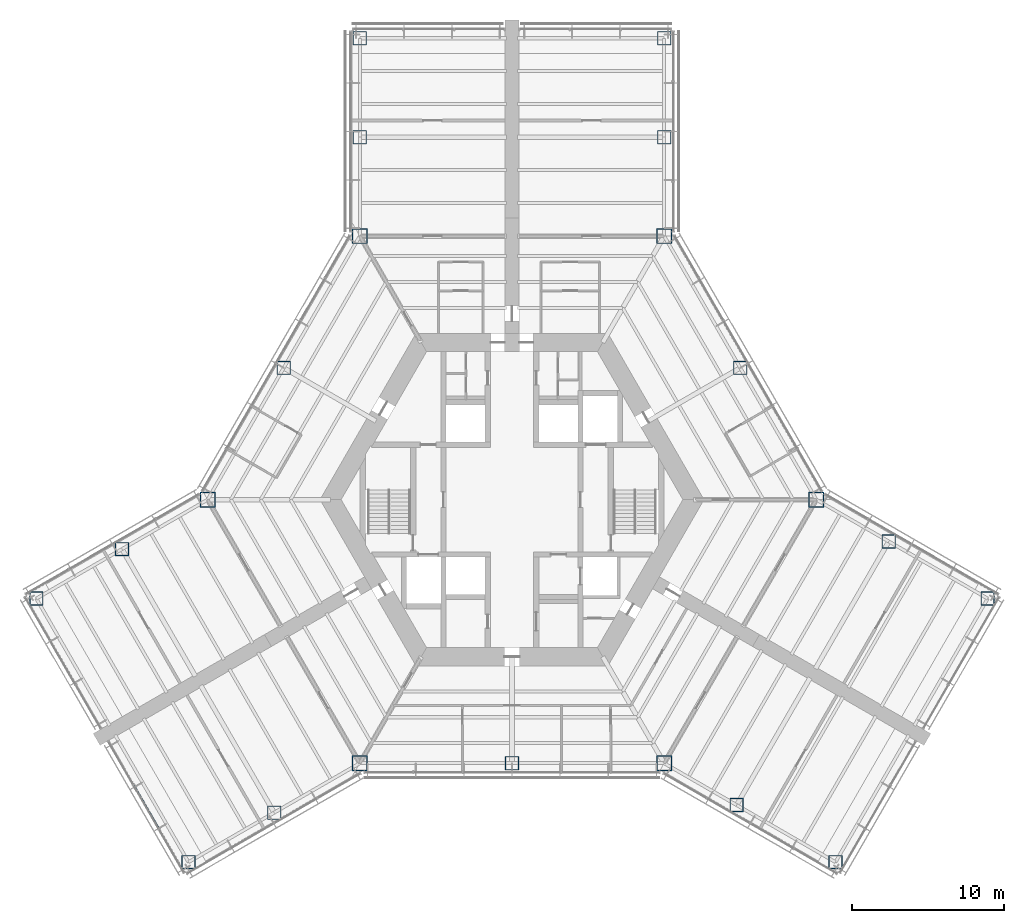
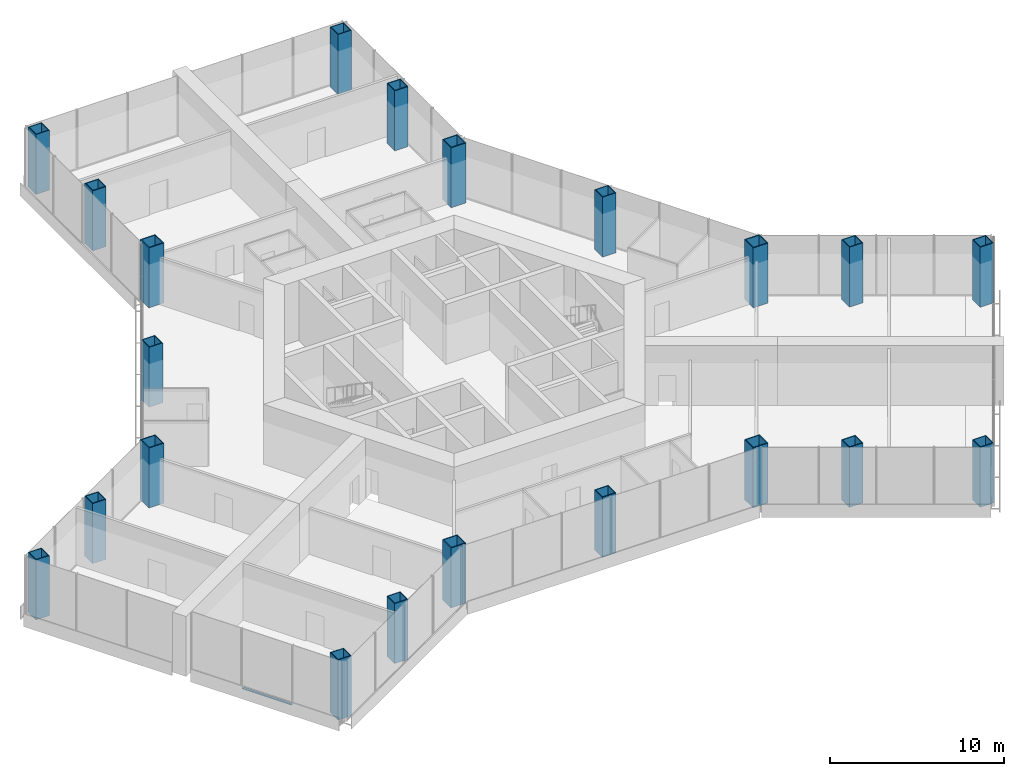
# One storey, part 1 of 16: 21 columns, 1 member, 1 element without a shape of its own.
"""IFC4 building model written with IfcOpenShell, lengths in metres."""

from ifc_helpers import new_model, si_unit, direction, frame, origin, origin_2d, place, context, subcontext, project, spatial, rectangle, hollow_rectangle, extrude, material, material_profile, profile_set, type_object, element, aggregate, save


model = new_model("IFC4")

# Units and contexts
model_context = context("Model", 3, precision=1e-05, world=origin(), true_north=direction((0.0, 1.0)))
body_context = subcontext(model_context, "Body", "Model", "MODEL_VIEW")
ifc_project = project(units=[si_unit("LENGTHUNIT", "METRE"), si_unit("AREAUNIT", "SQUARE_METRE"), si_unit("VOLUMEUNIT", "CUBIC_METRE"), si_unit("PLANEANGLEUNIT", "RADIAN"), si_unit("MASSUNIT", "GRAM", prefix="KILO")], contexts=[model_context])

# Site, building, storey
site_placement = place(None, origin())
site = spatial("IfcSite", under=ifc_project, at=site_placement, CompositionType="ELEMENT")
building_placement = place(site_placement, origin())
building = spatial("IfcBuilding", under=site, at=building_placement, Name="Kasaneha Research Tower", CompositionType="ELEMENT")
storey_placement = place(building_placement, frame((0.0, 0.0, 22.60009765625)))
storey = spatial("IfcBuildingStorey", under=building, at=storey_placement, Name="L06", CompositionType="ELEMENT", Elevation=22.60009765625)

# Columns
ifc_material_1 = material(Name="Steel SN490C", Category="steel")
ifc_material_profile_1 = material_profile(ifc_material_1, hollow_rectangle(XDim=1.0, YDim=1.0, WallThickness=0.06005859375, at=origin_2d()), Name="BOX-1000x1000x60")
ifc_profile_set_1 = profile_set([ifc_material_profile_1], Name="Steel SN490C")
column_type_1 = type_object("IfcColumnType", Name="C1A column BOX-1000x1000x60", PredefinedType="COLUMN", material=ifc_profile_set_1)
for number, where, z_axis, x_axis, name in (
    (1, (20.0, 0.0, 0.0), (0.0, 0.0, 1.0), (1.0, 0.0, 0.0), "Column V0 L06"),
    (2, (10.0, 17.320556640625, 0.0), (0.0, 0.0, 1.0), (1.0, 0.0, 0.0), "Column V1 L06"),
    (3, (-10.0, 17.320556640625, 0.0), (0.0, 0.0, 1.0), (1.0, 0.0, 0.0), "Column V2 L06"),
    (4, (-20.0, 0.0, 0.0), (0.0, 0.0, 1.0), (1.0, 0.0, 0.0), "Column V3 L06"),
    (5, (-10.0, -17.320556640625, 0.0), (0.0, 0.0, 1.0), (1.0, 0.0, 0.0), "Column V4 L06"),
    (6, (10.0, -17.320556640625, 0.0), (0.0, 0.0, 1.0), (1.0, 0.0, 0.0), "Column V5 L06"),
):
    element("IfcColumn", number, at=place(storey_placement, frame(where, z_axis=z_axis, x_axis=x_axis)), inside=storey, type_object=column_type_1, Name=name, PredefinedType="COLUMN", context=body_context, shape_type="SweptSolid", body=[
        extrude(hollow_rectangle(XDim=1.0, YDim=1.0, WallThickness=0.06005859375, at=origin_2d()), origin(), (0.0, 0.0, 1.0), 4.199951171875),
    ])
ifc_material_2 = material(Name="Steel SN490C", Category="steel")
ifc_material_profile_2 = material_profile(ifc_material_2, hollow_rectangle(XDim=0.89990234375, YDim=0.89990234375, WallThickness=0.050048828125, at=origin_2d()), Name="BOX-900x900x50")
ifc_profile_set_2 = profile_set([ifc_material_profile_2], Name="Steel SN490C")
column_type_2 = type_object("IfcColumnType", Name="C1B column BOX-900x900x50", PredefinedType="COLUMN", material=ifc_profile_set_2)
for number, where, z_axis, x_axis, name in (
    (7, (15.0, 8.66015625, 0.0), (0.0, 0.0, 1.0), (1.0, 0.0, 0.0), "Column M030 L06"),
    (8, (-15.0, 8.66015625, 0.0), (0.0, 0.0, 1.0), (1.0, 0.0, 0.0), "Column M150 L06"),
    (9, (0.0, -17.320556640625, 0.0), (0.0, 0.0, 1.0), (1.0, 0.0, 0.0), "Column M270 L06"),
    (10, (10.0, 23.820556640625, 0.0), (0.0, 0.0, 1.0), (1.0, 0.0, 0.0), "Column ASP L06"),
    (11, (10.0, 30.320556640625, 0.0), (0.0, 0.0, 1.0), (1.0, 0.0, 0.0), "Column ATP L06"),
    (12, (-10.0, 23.820556640625, 0.0), (0.0, 0.0, 1.0), (1.0, 0.0, 0.0), "Column ASN L06"),
    (13, (-10.0, 30.320556640625, 0.0), (0.0, 0.0, 1.0), (1.0, 0.0, 0.0), "Column ATN L06"),
    (14, (-25.629150390625, -3.25, 0.0), (0.0, 0.0, 1.0), (1.0, 0.0, 0.0), "Column BSP L06"),
    (15, (-31.25830078125, -6.5, 0.0), (0.0, 0.0, 1.0), (1.0, 0.0, 0.0), "Column BTP L06"),
    (16, (-15.629150390625, -20.570556640625, 0.0), (0.0, 0.0, 1.0), (1.0, 0.0, 0.0), "Column BSN L06"),
    (17, (-21.25830078125, -23.820556640625, 0.0), (0.0, 0.0, 1.0), (1.0, 0.0, 0.0), "Column BTN L06"),
    (18, (14.76318359375, -20.070556640625, 0.0), (0.0, 0.0, 1.0), (1.0, 0.0, 0.0), "Column CSP L06"),
    (19, (21.25830078125, -23.820556640625, 0.0), (0.0, 0.0, 1.0), (1.0, 0.0, 0.0), "Column CTP L06"),
    (20, (24.76318359375, -2.75, 0.0), (0.0, 0.0, 1.0), (1.0, 0.0, 0.0), "Column CSN L06"),
    (21, (31.25830078125, -6.5, 0.0), (0.0, 0.0, 1.0), (1.0, 0.0, 0.0), "Column CTN L06"),
):
    element("IfcColumn", number, at=place(storey_placement, frame(where, z_axis=z_axis, x_axis=x_axis)), inside=storey, type_object=column_type_2, Name=name, PredefinedType="COLUMN", context=body_context, shape_type="SweptSolid", body=[
        extrude(hollow_rectangle(XDim=0.89990234375, YDim=0.89990234375, WallThickness=0.050048828125, at=origin_2d()), origin(), (0.0, 0.0, 1.0), 4.199951171875),
    ])

# Curtain wall, member
ifc_material_3 = material(Name="Glass and aluminium", Category="aluminium")
curtain_wall_type = type_object("IfcCurtainWallType", Name="Wet laboratory curtain wall", PredefinedType="USERDEFINED", material=ifc_material_3)
curtain_wall_placement = place(storey_placement, origin())
curtain_wall = element("IfcCurtainWall", 22, at=curtain_wall_placement, inside=storey, type_object=curtain_wall_type, Name="CW-L1 L06 run 15a", ObjectType="UNITISED CURTAIN WALL", PredefinedType="USERDEFINED")
ifc_material_4 = material(Name="Aluminium 6063-T6", Category="aluminium")
ifc_material_profile_3 = material_profile(ifc_material_4, rectangle(XDim=0.139892578125, YDim=0.06494140625, at=origin_2d()), Name="CW-L1 transom 140x65")
ifc_profile_set_3 = profile_set([ifc_material_profile_3], Name="Aluminium 6063-T6")
member_type = type_object("IfcMemberType", Name="CW-L1 transom", PredefinedType="USERDEFINED", material=ifc_profile_set_3)
member_placement = place(storey_placement, frame((-24.86181640625, -18.779296875, 0.032470703125), z_axis=(0.50000765355, -0.86602098496, 0.0), x_axis=(0.86602098496, 0.50000765355, 0.0)))
member = element("IfcMember", 23, at=member_placement, type_object=member_type, Name="CW-L1 transom 2", ObjectType="TRANSOM", PredefinedType="USERDEFINED", context=body_context, shape_type="SweptSolid", body=[
    extrude(rectangle(XDim=0.139892578125, YDim=0.06494140625, at=origin_2d()), origin(), (0.0, 0.0, 1.0), 3.28515625),
])
aggregate(curtain_wall, [member])

save(model, "model.ifc")
